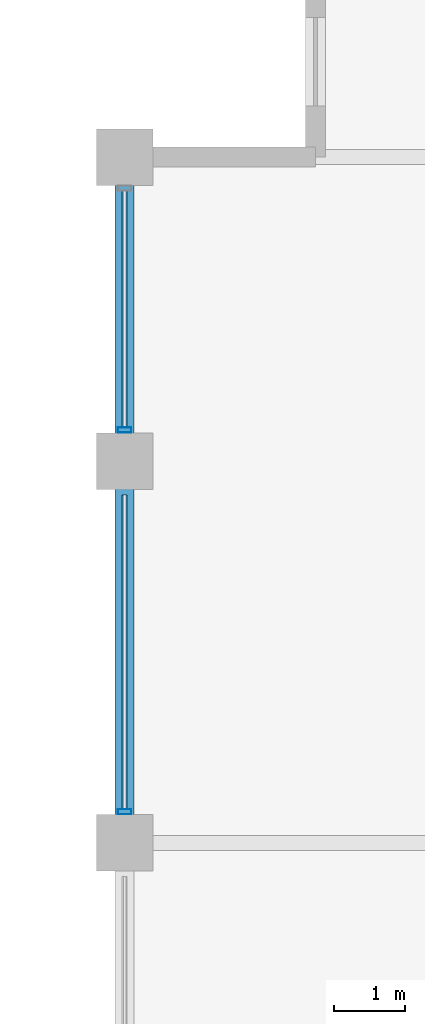
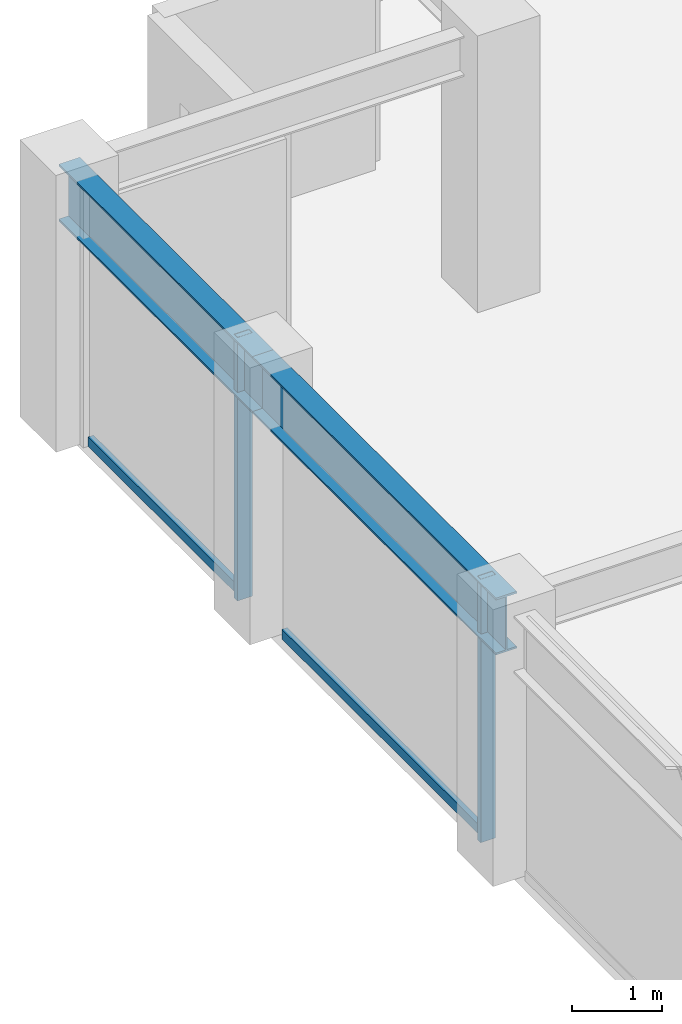
# One storey, part 14 of 30: 4 members, 2 beams, 1 element without a shape of its own.
"""IFC4 building model written with IfcOpenShell, lengths in metres."""

from ifc_helpers import new_model, si_unit, direction, frame, origin, origin_2d, place, context, subcontext, project, spatial, hollow_rectangle, i_section, extrude, material, layer, layer_set, material_profile, profile_set, type_object, element, aggregate, save


model = new_model("IFC4")

# Units and contexts
model_context = context("Model", 3, precision=1e-05, world=origin(), true_north=direction((0.0, 1.0)))
body_context = subcontext(model_context, "Body", "Model", "MODEL_VIEW")
ifc_project = project(units=[si_unit("LENGTHUNIT", "METRE"), si_unit("AREAUNIT", "SQUARE_METRE"), si_unit("VOLUMEUNIT", "CUBIC_METRE"), si_unit("PLANEANGLEUNIT", "RADIAN"), si_unit("MASSUNIT", "GRAM", prefix="KILO")], contexts=[model_context])

# Site, building, storey
site_placement = place(None, origin())
site = spatial("IfcSite", under=ifc_project, at=site_placement, CompositionType="ELEMENT")
building_placement = place(site_placement, origin())
building = spatial("IfcBuilding", under=site, at=building_placement, Name="Surkhivell Harbour Commons", CompositionType="ELEMENT")
storey_placement = place(building_placement, frame((0.0, 0.0, 227.25)))
storey = spatial("IfcBuildingStorey", under=building, at=storey_placement, Name="L59", CompositionType="ELEMENT", Elevation=227.25)

# Beams
ifc_material_1 = material(Name="Steel S355", Category="steel")
ifc_material_profile_1 = material_profile(ifc_material_1, i_section(OverallWidth=0.26806640625, OverallDepth=0.77001953125, WebThickness=0.015625, FlangeThickness=0.025390625, at=origin_2d()), Name="UB762x267x197")
ifc_profile_set_1 = profile_set([ifc_material_profile_1], Name="Steel S355")
beam_type = type_object("IfcBeamType", Name="BM-SPN-762", PredefinedType="SPANDREL", material=ifc_profile_set_1)
beam_1_placement = place(storey_placement, frame((-27.0, 10.800048828125, 3.18505859375), z_axis=(0.0, 1.0, 0.0), x_axis=(-1.0, 0.0, 0.0)))
element("IfcBeam", 1, at=beam_1_placement, inside=storey, type_object=beam_type, Name="L59 Tube Spandrel (-27.0,10.8)", PredefinedType="SPANDREL", context=body_context, shape_type="SweptSolid", body=[
    extrude(i_section(OverallWidth=0.26806640625, OverallDepth=0.77001953125, WebThickness=0.015625, FlangeThickness=0.025390625, at=origin_2d()), origin(), (0.0, 0.0, 1.0), 5.39990234375),
])
beam_2_placement = place(storey_placement, frame((-27.0, 16.199951171875, 3.18505859375), z_axis=(0.0, 1.0, 0.0), x_axis=(-1.0, 0.0, 0.0)))
element("IfcBeam", 2, at=beam_2_placement, inside=storey, type_object=beam_type, Name="L59 Tube Spandrel (-27.0,16.2)", PredefinedType="SPANDREL", context=body_context, shape_type="SweptSolid", body=[
    extrude(i_section(OverallWidth=0.26806640625, OverallDepth=0.77001953125, WebThickness=0.015625, FlangeThickness=0.025390625, at=origin_2d()), origin(), (0.0, 0.0, 1.0), 4.300048828125),
])

# Curtain wall, members
ifc_material_2 = material(Name="Anodised pale-metal aluminium and insulated glazing", Category="aluminium")
ifc_layer = layer(ifc_material_2, 0.18994140625)
ifc_layer_set = layer_set([ifc_layer], Name="Anodised pale-metal aluminium and insulated glazing")
curtain_wall_type = type_object("IfcCurtainWallType", Name="CW-SYS-Z3", PredefinedType="NOTDEFINED", material=ifc_layer_set)
curtain_wall_placement = place(storey_placement, origin())
curtain_wall = element("IfcCurtainWall", 3, at=curtain_wall_placement, inside=storey, type_object=curtain_wall_type, Name="L59 Curtain Wall CW-L59-E12R2", PredefinedType="NOTDEFINED")
ifc_material_3 = material(Name="Anodised pale-metal aluminium alloy 6063-T6", Category="aluminium")
ifc_material_profile_2 = material_profile(ifc_material_3, hollow_rectangle(XDim=0.074951171875, YDim=0.18994140625, WallThickness=0.00390625, at=origin_2d()), Name="ALU-MULL-75x190")
ifc_profile_set_2 = profile_set([ifc_material_profile_2], Name="Anodised pale-metal aluminium alloy 6063-T6")
member_type_1 = type_object("IfcMemberType", Name="CWM-190", PredefinedType="MULLION", material=ifc_profile_set_2)
member_1_placement = place(storey_placement, frame((-27.0, 11.239501953125, 0.0), z_axis=(0.0, 0.0, 1.0), x_axis=(0.0, 1.0, 0.0)))
member_1 = element("IfcMember", 4, at=member_1_placement, type_object=member_type_1, Name="CW-Z3 mullion 2", PredefinedType="MULLION", context=body_context, shape_type="SweptSolid", body=[
    extrude(hollow_rectangle(XDim=0.074951171875, YDim=0.18994140625, WallThickness=0.00390625, at=origin_2d()), origin(), (0.0, 0.0, 1.0), 3.570068359375),
])
member_2_placement = place(storey_placement, frame((-27.0, 16.639404296875, 0.0), z_axis=(0.0, 0.0, 1.0), x_axis=(0.0, 1.0, 0.0)))
member_2 = element("IfcMember", 5, at=member_2_placement, type_object=member_type_1, Name="CW-Z3 mullion 3", PredefinedType="MULLION", context=body_context, shape_type="SweptSolid", body=[
    extrude(hollow_rectangle(XDim=0.074951171875, YDim=0.18994140625, WallThickness=0.00390625, at=origin_2d()), origin(), (0.0, 0.0, 1.0), 3.570068359375),
])
ifc_material_4 = material(Name="Champagne anodised aluminium alloy 6063-T6", Category="aluminium")
ifc_material_profile_3 = material_profile(ifc_material_4, hollow_rectangle(XDim=0.070068359375, YDim=0.1298828125, WallThickness=0.00341796875, at=origin_2d()), Name="ALU-TRAN-70x130")
ifc_profile_set_3 = profile_set([ifc_material_profile_3], Name="Champagne anodised aluminium alloy 6063-T6")
member_type_2 = type_object("IfcMemberType", Name="CWT-130", PredefinedType="USERDEFINED", material=ifc_profile_set_3)
member_3_placement = place(storey_placement, frame((-27.0, 11.277099609375, 0.06494140625), z_axis=(0.0, 1.0, 0.0), x_axis=(-1.0, 0.0, 0.0)))
member_3 = element("IfcMember", 6, at=member_3_placement, type_object=member_type_2, Name="CW-Z3 transom 2.1", ObjectType="TRANSOM", PredefinedType="USERDEFINED", context=body_context, shape_type="SweptSolid", body=[
    extrude(hollow_rectangle(XDim=0.070068359375, YDim=0.1298828125, WallThickness=0.00341796875, at=origin_2d()), origin(), (0.0, 0.0, 1.0), 4.44580078125),
])
member_4_placement = place(storey_placement, frame((-27.0, 16.677001953125, 0.06494140625), z_axis=(0.0, 1.0, 0.0), x_axis=(-1.0, 0.0, 0.0)))
member_4 = element("IfcMember", 7, at=member_4_placement, type_object=member_type_2, Name="CW-Z3 transom 3.1", ObjectType="TRANSOM", PredefinedType="USERDEFINED", context=body_context, shape_type="SweptSolid", body=[
    extrude(hollow_rectangle(XDim=0.070068359375, YDim=0.1298828125, WallThickness=0.00341796875, at=origin_2d()), origin(), (0.0, 0.0, 1.0), 3.345947265625),
])
aggregate(curtain_wall, [member_1, member_3, member_2, member_4])

save(model, "model.ifc")
